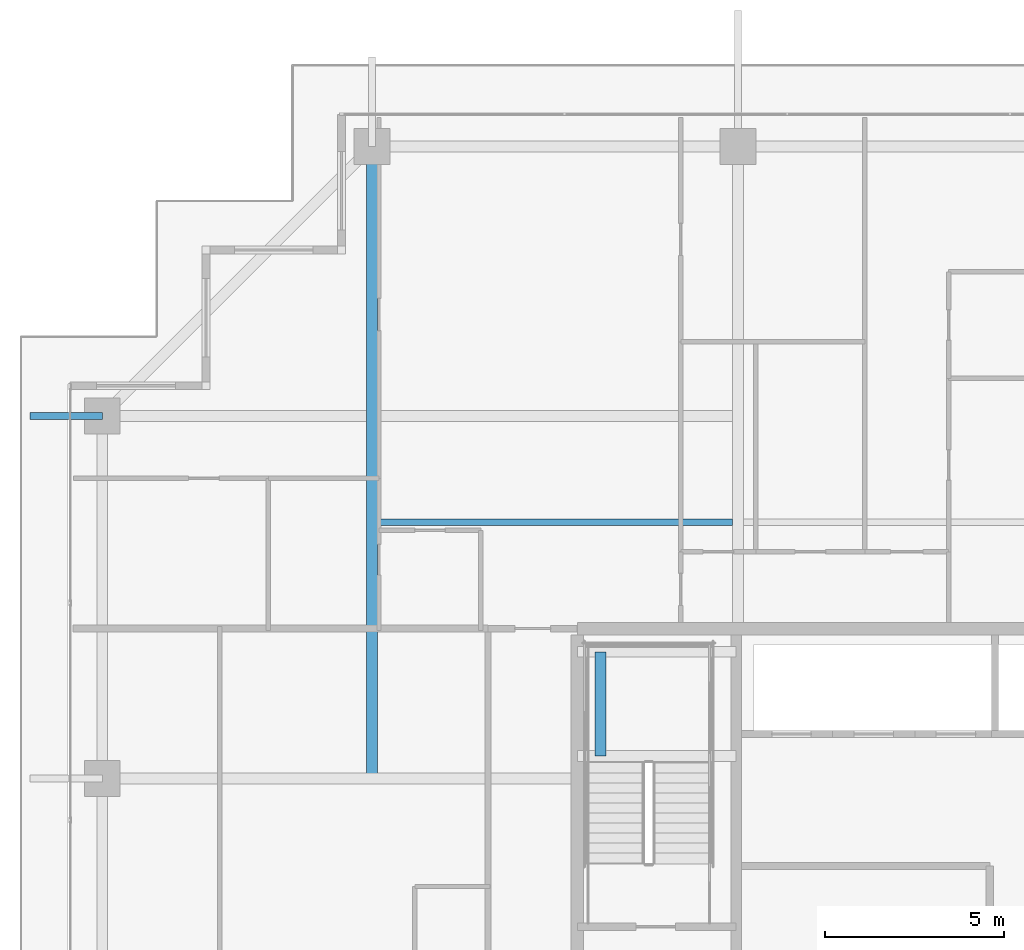
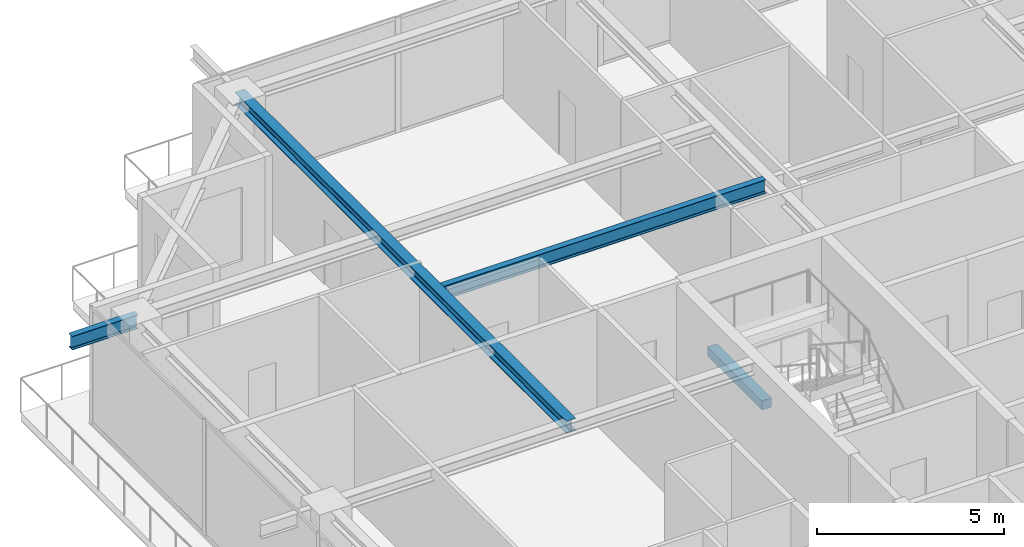
# One storey, part 20 of 42: 4 beams.
"""IFC4 building model written with IfcOpenShell, lengths in metres."""

from ifc_helpers import new_model, si_unit, direction, frame, origin, origin_2d, place, context, subcontext, project, spatial, rectangle, i_section, extrude, source, transform, mapped, material, material_profile, profile_set, type_object, element, save


model = new_model("IFC4")

# Units and contexts
model_context = context("Model", 3, precision=1e-05, world=origin(), true_north=direction((0.0, 1.0)))
body_context = subcontext(model_context, "Body", "Model", "MODEL_VIEW")
ifc_project = project(units=[si_unit("LENGTHUNIT", "METRE"), si_unit("AREAUNIT", "SQUARE_METRE"), si_unit("VOLUMEUNIT", "CUBIC_METRE"), si_unit("PLANEANGLEUNIT", "RADIAN"), si_unit("MASSUNIT", "GRAM", prefix="KILO")], contexts=[model_context])

# Site, building, storey
site_placement = place(None, origin())
site = spatial("IfcSite", under=ifc_project, at=site_placement, CompositionType="ELEMENT")
building_placement = place(site_placement, origin())
building = spatial("IfcBuilding", under=site, at=building_placement, Name="Serunith Strait Residences", CompositionType="ELEMENT")
storey_placement = place(building_placement, frame((0.0, 0.0, 309.64990234375)))
storey = spatial("IfcBuildingStorey", under=building, at=storey_placement, Name="L77", CompositionType="ELEMENT", Elevation=309.64990234375)

# Beams
ifc_material_1 = material(Name="Steel S355J2", Category="steel")
ifc_material_profile_1 = material_profile(ifc_material_1, i_section(OverallWidth=0.18994140625, OverallDepth=0.449951171875, WebThickness=0.009521484375, FlangeThickness=0.0146484375, FilletRadius=0.02099609375, at=origin_2d()), Name="IPE 450")
ifc_profile_set_1 = profile_set([ifc_material_profile_1], Name="Steel S355J2")
beam_type_1 = type_object("IfcBeamType", Name="BM-IPE450", PredefinedType="JOIST", material=ifc_profile_set_1)
shared_shape_1 = source(origin(), body_context, "Body", "SweptSolid", [
    extrude(i_section(OverallWidth=0.18994140625, OverallDepth=0.449951171875, WebThickness=0.009521484375, FlangeThickness=0.0146484375, FilletRadius=0.02099609375, at=origin_2d()), origin(), (0.0, 0.0, 1.0), 9.949951171875),
])
beam_1_placement = place(storey_placement, frame((17.800048828125, 36.574951171875, 3.56201171875), z_axis=(1.0, 0.0, 0.0), x_axis=(0.0, 1.0, 0.0)))
element("IfcBeam", 1, at=beam_1_placement, inside=storey, type_object=beam_type_1, Name="L77 Composite Floor Joist 04", PredefinedType="JOIST", context=body_context, shape_type="MappedRepresentation", body=[
    mapped(shared_shape_1, transform((0.0, 0.0, 0.0), scale=1.0)),
])
ifc_material_profile_2 = material_profile(ifc_material_1, i_section(OverallWidth=0.300048828125, OverallDepth=0.39990234375, WebThickness=0.013427734375, FlangeThickness=0.02392578125, FilletRadius=0.027099609375, at=origin_2d()), Name="HEB 400")
ifc_profile_set_2 = profile_set([ifc_material_profile_2], Name="Steel S355J2")
beam_type_2 = type_object("IfcBeamType", Name="BM-HEB400", PredefinedType="BEAM", material=ifc_profile_set_2)
shared_shape_2 = source(origin(), body_context, "Body", "SweptSolid", [
    extrude(i_section(OverallWidth=0.300048828125, OverallDepth=0.39990234375, WebThickness=0.013427734375, FlangeThickness=0.02392578125, FilletRadius=0.027099609375, at=origin_2d()), origin(), (0.0, 0.0, 1.0), 17.7001953125),
])
beam_2_placement = place(storey_placement, frame((17.64990234375, 29.39990234375, 3.587158203125), z_axis=(0.0, 1.0, 0.0), x_axis=(-1.0, 0.0, 0.0)))
element("IfcBeam", 2, at=beam_2_placement, inside=storey, type_object=beam_type_2, Name="L77 Orthogonal Corner Girder TC-N1", PredefinedType="BEAM", context=body_context, shape_type="MappedRepresentation", body=[
    mapped(shared_shape_2, transform((0.0, 0.0, 0.0), scale=1.0)),
])
shared_shape_3 = source(origin(), body_context, "Body", "SweptSolid", [
    extrude(i_section(OverallWidth=0.18994140625, OverallDepth=0.449951171875, WebThickness=0.009521484375, FlangeThickness=0.0146484375, FilletRadius=0.02099609375, at=origin_2d()), origin(), (0.0, 0.0, 1.0), 2.030029296875),
])
beam_3_placement = place(storey_placement, frame((10.10009765625, 39.550048828125, 3.531982421875), z_axis=(-1.0, 0.0, 0.0), x_axis=(0.0, -1.0, 0.0)))
element("IfcBeam", 3, at=beam_3_placement, inside=storey, type_object=beam_type_1, Name="L78 Cantilevered Balcony Rib TC-W4", PredefinedType="JOIST", context=body_context, shape_type="MappedRepresentation", body=[
    mapped(shared_shape_3, transform((0.0, 0.0, 0.0), scale=1.0)),
])
ifc_material_2 = material(Name="Concrete C60/75", Category="concrete")
ifc_material_profile_3 = material_profile(ifc_material_2, rectangle(XDim=0.300048828125, YDim=0.300048828125, at=origin_2d()), Name="RC 300x300")
ifc_profile_set_3 = profile_set([ifc_material_profile_3], Name="Concrete C60/75")
beam_type_3 = type_object("IfcBeamType", Name="BM-LAND-300x300", PredefinedType="BEAM", material=ifc_profile_set_3)
shared_shape_4 = source(origin(), body_context, "Body", "SweptSolid", [
    extrude(rectangle(XDim=0.300048828125, YDim=0.300048828125, at=origin_2d()), origin(), (0.0, 0.0, 1.0), 2.919921875),
])
beam_4_placement = place(storey_placement, frame((24.050048828125, 30.030029296875, 1.675048828125), z_axis=(0.0, 1.0, 0.0), x_axis=(-1.0, 0.0, 0.0)))
element("IfcBeam", 4, at=beam_4_placement, inside=storey, type_object=beam_type_3, Name="L77 ST-1 Landing Transverse Tie Beam", PredefinedType="BEAM", context=body_context, shape_type="MappedRepresentation", body=[
    mapped(shared_shape_4, transform((0.0, 0.0, 0.0), scale=1.0)),
])

save(model, "model.ifc")
